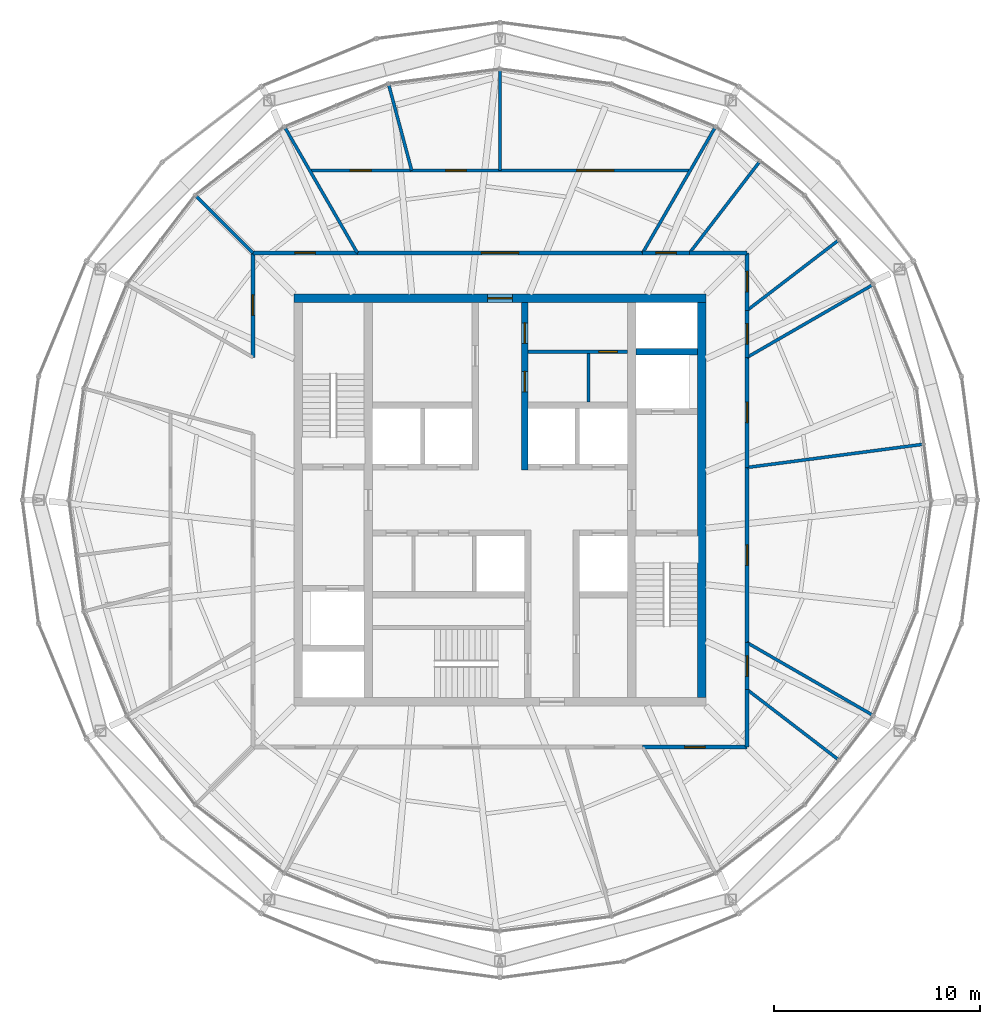
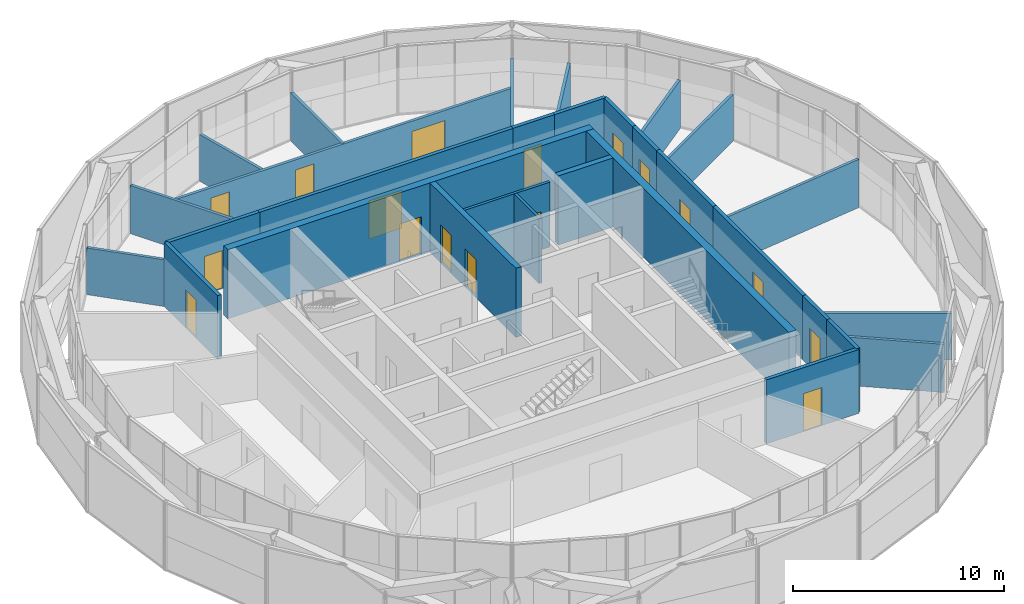
# One storey, part 15 of 17: 30 walls, 17 doors, 17 openings.
"""IFC4 building model written with IfcOpenShell, lengths in metres."""

from ifc_helpers import new_model, si_unit, direction, frame, frame_2d, origin, place, context, subcontext, project, spatial, rectangle, extrude, material, layer, layer_set, type_object, element, fill, save


model = new_model("IFC4")

# Units and contexts
model_context = context("Model", 3, precision=1e-05, world=origin(), true_north=direction((0.0, 1.0)))
body_context = subcontext(model_context, "Body", "Model", "MODEL_VIEW")
ifc_project = project(units=[si_unit("LENGTHUNIT", "METRE"), si_unit("AREAUNIT", "SQUARE_METRE"), si_unit("VOLUMEUNIT", "CUBIC_METRE"), si_unit("PLANEANGLEUNIT", "RADIAN"), si_unit("MASSUNIT", "GRAM", prefix="KILO")], contexts=[model_context])

# Site, building, storey
site_placement = place(None, origin())
site = spatial("IfcSite", under=ifc_project, at=site_placement, CompositionType="ELEMENT")
building_placement = place(site_placement, origin())
building = spatial("IfcBuilding", under=site, at=building_placement, Name="Golbaran Civic Tower", CompositionType="ELEMENT")
storey_placement = place(building_placement, frame((0.0, 0.0, 280.0)))
storey = spatial("IfcBuildingStorey", under=building, at=storey_placement, Name="L68", CompositionType="ELEMENT", Elevation=280.0)

# Wall, opening, door
ifc_material_1 = material(Name="Concrete block", Category="concrete")
ifc_layer_1 = layer(ifc_material_1, 0.14990234375, Name="Concrete block")
ifc_layer_set_1 = layer_set([ifc_layer_1], Name="Concrete block")
wall_type_1 = type_object("IfcWallType", Name="BLOCKWORK PARTITION 150", PredefinedType="PARTITIONING", material=ifc_layer_set_1)
wall_1_placement = place(storey_placement, frame((1.35009765625, 7.199951171875, 0.0), z_axis=(0.0, 0.0, 1.0), x_axis=(1.0, 0.0, 0.0)))
wall_1 = element("IfcWall", 1, at=wall_1_placement, inside=storey, type_object=wall_type_1, Name="Toilet block partition TN1 L68", PredefinedType="PARTITIONING", context=body_context, shape_type="SweptSolid", body=[
    extrude(rectangle(XDim=4.849853515625, YDim=0.14990234375, at=frame_2d((2.4248046875, 0.0))), origin(), (0.0, 0.0, 1.0), 3.75),
])
opening_1_placement = place(wall_1_placement, frame((3.449951171875, 0.0, 0.0)))
opening_1 = element("IfcOpeningElement", 2, at=opening_1_placement, cuts=wall_1, Name="Opening L68.CLN", PredefinedType="OPENING", context=body_context, shape_type="SweptSolid", body=[
    extrude(rectangle(XDim=0.89990234375, YDim=2.199951171875, at=frame_2d((0.449951171875, 1.10009765625))), frame((0.0, 0.0849609375, 0.0), z_axis=(0.0, -1.0, 0.0), x_axis=(1.0, 0.0, 0.0)), (0.0, 0.0, 1.0), 0.169921875),
])
ifc_material_2 = material(Name="Timber door set in steel frame", Category="steel")
door_type_1 = type_object("IfcDoorType", Name="RISER DOOR 900x2200", OperationType="SINGLE_SWING_LEFT", PredefinedType="DOOR", material=ifc_material_2)
door_1_placement = place(opening_1_placement, origin())
door_1 = element("IfcDoor", 3, at=door_1_placement, inside=storey, type_object=door_type_1, Name="Housekeeping Store door", OperationType="SINGLE_SWING_RIGHT", OverallHeight=2.199951171875, OverallWidth=0.89990234375, PredefinedType="DOOR", context=body_context, shape_type="SweptSolid", body=[
    extrude(rectangle(XDim=0.89990234375, YDim=2.199951171875, at=frame_2d((0.449951171875, 1.10009765625))), frame((0.0, 0.02490234375, 0.0), z_axis=(0.0, -1.0, 0.0), x_axis=(1.0, 0.0, 0.0)), (0.0, 0.0, 1.0), 0.050048828125),
])
fill(opening_1, door_1)

# Wall
wall_2_placement = place(storey_placement, frame((4.300048828125, 4.75, 0.0), z_axis=(0.0, 0.0, 1.0), x_axis=(0.0, 1.0, 0.0)))
element("IfcWall", 4, at=wall_2_placement, inside=storey, type_object=wall_type_1, Name="Toilet block partition TN2 L68", PredefinedType="PARTITIONING", context=body_context, shape_type="SweptSolid", body=[
    extrude(rectangle(XDim=2.375, YDim=0.14990234375, at=frame_2d((1.1875, 0.0))), origin(), (0.0, 0.0, 1.0), 3.75),
])

# Wall, opening, door
ifc_material_3 = material(Name="Concrete C50/60", Category="concrete")
ifc_layer_2 = layer(ifc_material_3, 0.39990234375, Name="Concrete C50/60")
ifc_layer_set_2 = layer_set([ifc_layer_2], Name="Concrete C50/60")
wall_type_2 = type_object("IfcWallType", Name="CORE WALL CONCRETE 400", PredefinedType="SOLIDWALL", material=ifc_layer_set_2)
wall_3_placement = place(storey_placement, frame((-10.0, 9.800048828125, 0.0), z_axis=(0.0, 0.0, 1.0), x_axis=(1.0, 0.0, 0.0)))
wall_3 = element("IfcWall", 5, at=wall_3_placement, inside=storey, type_object=wall_type_2, Name="Core wall CN L68", PredefinedType="SOLIDWALL", context=body_context, shape_type="SweptSolid", body=[
    extrude(rectangle(XDim=20.0, YDim=0.39990234375, at=frame_2d((10.0, 0.0))), origin(), (0.0, 0.0, 1.0), 4.0),
])
opening_2_placement = place(wall_3_placement, frame((9.39990234375, 0.0, 0.0)))
opening_2 = element("IfcOpeningElement", 6, at=opening_2_placement, cuts=wall_3, Name="Opening L68.CN", PredefinedType="OPENING", context=body_context, shape_type="SweptSolid", body=[
    extrude(rectangle(XDim=1.199951171875, YDim=2.199951171875, at=frame_2d((0.60009765625, 1.10009765625))), frame((0.0, 0.2099609375, 0.0), z_axis=(0.0, -1.0, 0.0), x_axis=(1.0, 0.0, 0.0)), (0.0, 0.0, 1.0), 0.419921875),
])
door_type_2 = type_object("IfcDoorType", Name="CORE DOOR 1200x2200", OperationType="DOUBLE_DOOR_SINGLE_SWING", PredefinedType="DOOR", material=ifc_material_2)
door_2_placement = place(opening_2_placement, origin())
door_2 = element("IfcDoor", 7, at=door_2_placement, inside=storey, type_object=door_type_2, Name="Core door north", OperationType="DOUBLE_DOOR_SINGLE_SWING", OverallHeight=2.199951171875, OverallWidth=1.199951171875, PredefinedType="DOOR", context=body_context, shape_type="SweptSolid", body=[
    extrude(rectangle(XDim=1.199951171875, YDim=2.199951171875, at=frame_2d((0.60009765625, 1.10009765625))), frame((0.0, 0.02490234375, 0.0), z_axis=(0.0, -1.0, 0.0), x_axis=(1.0, 0.0, 0.0)), (0.0, 0.0, 1.0), 0.050048828125),
])
fill(opening_2, door_2)

# Wall
wall_4_placement = place(storey_placement, frame((9.800048828125, -9.60009765625, 0.0), z_axis=(0.0, 0.0, 1.0), x_axis=(0.0, 1.0, 0.0)))
element("IfcWall", 8, at=wall_4_placement, inside=storey, type_object=wall_type_2, Name="Core wall CE L68", PredefinedType="SOLIDWALL", context=body_context, shape_type="SweptSolid", body=[
    extrude(rectangle(XDim=19.2001953125, YDim=0.39990234375, at=frame_2d((9.60009765625, 0.0))), origin(), (0.0, 0.0, 1.0), 4.0),
])

# Wall, opening, door
ifc_material_4 = material(Name="Gypsum board on steel studs, fire-rated", Category="steel")
ifc_layer_3 = layer(ifc_material_4, 0.199951171875, Name="Gypsum board on steel studs, fire-rated")
ifc_layer_set_3 = layer_set([ifc_layer_3], Name="Gypsum board on steel studs, fire-rated")
wall_type_3 = type_object("IfcWallType", Name="CORRIDOR WALL 200", PredefinedType="PARTITIONING", material=ifc_layer_set_3)
wall_5_placement = place(storey_placement, frame((12.0, -6.92822265625, 0.0), z_axis=(0.0, 0.0, 1.0), x_axis=(0.0, 1.0, 0.0)))
wall_5 = element("IfcWall", 9, at=wall_5_placement, inside=storey, type_object=wall_type_3, Name="Corridor wall L68", PredefinedType="PARTITIONING", context=body_context, shape_type="SweptSolid", body=[
    extrude(rectangle(XDim=8.508056640625, YDim=0.199951171875, at=frame_2d((4.25390625, 0.0))), origin(), (0.0, 0.0, 1.0), 3.699951171875),
])
opening_3_placement = place(wall_5_placement, frame((3.75390625, 0.0, 0.0)))
opening_3 = element("IfcOpeningElement", 10, at=opening_3_placement, cuts=wall_5, Name="Opening L68.07", PredefinedType="OPENING", context=body_context, shape_type="SweptSolid", body=[
    extrude(rectangle(XDim=1.0, YDim=2.199951171875, at=frame_2d((0.5, 1.10009765625))), frame((0.0, 0.10986328125, 0.0), z_axis=(0.0, -1.0, 0.0), x_axis=(1.0, 0.0, 0.0)), (0.0, 0.0, 1.0), 0.219970703125),
])
door_type_3 = type_object("IfcDoorType", Name="OFFICE DOOR 1000x2200", OperationType="SINGLE_SWING_LEFT", PredefinedType="DOOR", material=ifc_material_2)
door_3_placement = place(opening_3_placement, origin())
door_3 = element("IfcDoor", 11, at=door_3_placement, inside=storey, type_object=door_type_3, Name="State Room door L68", OperationType="SINGLE_SWING_LEFT", OverallHeight=2.199951171875, OverallWidth=1.0, PredefinedType="DOOR", context=body_context, shape_type="SweptSolid", body=[
    extrude(rectangle(XDim=1.0, YDim=2.199951171875, at=frame_2d((0.5, 1.10009765625))), frame((0.0, 0.02490234375, 0.0), z_axis=(0.0, -1.0, 0.0), x_axis=(1.0, 0.0, 0.0)), (0.0, 0.0, 1.0), 0.050048828125),
])
fill(opening_3, door_3)

wall_6_placement = place(storey_placement, frame((12.0, 1.579833984375, 0.0), z_axis=(0.0, 0.0, 1.0), x_axis=(0.0, 1.0, 0.0)))
wall_6 = element("IfcWall", 12, at=wall_6_placement, inside=storey, type_object=wall_type_3, Name="Corridor wall L68", PredefinedType="PARTITIONING", context=body_context, shape_type="SweptSolid", body=[
    extrude(rectangle(XDim=5.348388671875, YDim=0.199951171875, at=frame_2d((2.67431640625, 0.0))), origin(), (0.0, 0.0, 1.0), 3.699951171875),
])
opening_4_placement = place(wall_6_placement, frame((2.174072265625, 0.0, 0.0)))
opening_4 = element("IfcOpeningElement", 13, at=opening_4_placement, cuts=wall_6, Name="Opening L68.08", PredefinedType="OPENING", context=body_context, shape_type="SweptSolid", body=[
    extrude(rectangle(XDim=1.0, YDim=2.199951171875, at=frame_2d((0.5, 1.10009765625))), frame((0.0, 0.10986328125, 0.0), z_axis=(0.0, -1.0, 0.0), x_axis=(1.0, 0.0, 0.0)), (0.0, 0.0, 1.0), 0.219970703125),
])
door_4_placement = place(opening_4_placement, origin())
door_4 = element("IfcDoor", 14, at=door_4_placement, inside=storey, type_object=door_type_3, Name="Meeting Room door L68", OperationType="SINGLE_SWING_LEFT", OverallHeight=2.199951171875, OverallWidth=1.0, PredefinedType="DOOR", context=body_context, shape_type="SweptSolid", body=[
    extrude(rectangle(XDim=1.0, YDim=2.199951171875, at=frame_2d((0.5, 1.10009765625))), frame((0.0, 0.02490234375, 0.0), z_axis=(0.0, -1.0, 0.0), x_axis=(1.0, 0.0, 0.0)), (0.0, 0.0, 1.0), 0.050048828125),
])
fill(opening_4, door_4)

wall_7_placement = place(storey_placement, frame((12.0, 6.92822265625, 0.0), z_axis=(0.0, 0.0, 1.0), x_axis=(0.0, 1.0, 0.0)))
wall_7 = element("IfcWall", 15, at=wall_7_placement, inside=storey, type_object=wall_type_3, Name="Corridor wall L68", PredefinedType="PARTITIONING", context=body_context, shape_type="SweptSolid", body=[
    extrude(rectangle(XDim=2.27978515625, YDim=0.199951171875, at=frame_2d((1.139892578125, 0.0))), origin(), (0.0, 0.0, 1.0), 3.699951171875),
])
opening_5_placement = place(wall_7_placement, frame((0.639892578125, 0.0, 0.0)))
opening_5 = element("IfcOpeningElement", 16, at=opening_5_placement, cuts=wall_7, Name="Opening L68.09", PredefinedType="OPENING", context=body_context, shape_type="SweptSolid", body=[
    extrude(rectangle(XDim=1.0, YDim=2.199951171875, at=frame_2d((0.5, 1.10009765625))), frame((0.0, 0.10986328125, 0.0), z_axis=(0.0, -1.0, 0.0), x_axis=(1.0, 0.0, 0.0)), (0.0, 0.0, 1.0), 0.219970703125),
])
door_5_placement = place(opening_5_placement, origin())
door_5 = element("IfcDoor", 17, at=door_5_placement, inside=storey, type_object=door_type_3, Name="Pantry door L68", OperationType="SINGLE_SWING_LEFT", OverallHeight=2.199951171875, OverallWidth=1.0, PredefinedType="DOOR", context=body_context, shape_type="SweptSolid", body=[
    extrude(rectangle(XDim=1.0, YDim=2.199951171875, at=frame_2d((0.5, 1.10009765625))), frame((0.0, 0.02490234375, 0.0), z_axis=(0.0, -1.0, 0.0), x_axis=(1.0, 0.0, 0.0)), (0.0, 0.0, 1.0), 0.050048828125),
])
fill(opening_5, door_5)

wall_8_placement = place(storey_placement, frame((12.0, 9.2080078125, 0.0), z_axis=(0.0, 0.0, 1.0), x_axis=(0.0, 1.0, 0.0)))
wall_8 = element("IfcWall", 18, at=wall_8_placement, inside=storey, type_object=wall_type_3, Name="Corridor wall L68", PredefinedType="PARTITIONING", context=body_context, shape_type="SweptSolid", body=[
    extrude(rectangle(XDim=2.7919921875, YDim=0.199951171875, at=frame_2d((1.39599609375, 0.0))), origin(), (0.0, 0.0, 1.0), 3.699951171875),
])
opening_6_placement = place(wall_8_placement, frame((0.89599609375, 0.0, 0.0)))
opening_6 = element("IfcOpeningElement", 19, at=opening_6_placement, cuts=wall_8, Name="Opening L68.10", PredefinedType="OPENING", context=body_context, shape_type="SweptSolid", body=[
    extrude(rectangle(XDim=1.0, YDim=2.199951171875, at=frame_2d((0.5, 1.10009765625))), frame((0.0, 0.10986328125, 0.0), z_axis=(0.0, -1.0, 0.0), x_axis=(1.0, 0.0, 0.0)), (0.0, 0.0, 1.0), 0.219970703125),
])
door_6_placement = place(opening_6_placement, origin())
door_6 = element("IfcDoor", 20, at=door_6_placement, inside=storey, type_object=door_type_3, Name="Prayer Room door L68", OperationType="SINGLE_SWING_LEFT", OverallHeight=2.199951171875, OverallWidth=1.0, PredefinedType="DOOR", context=body_context, shape_type="SweptSolid", body=[
    extrude(rectangle(XDim=1.0, YDim=2.199951171875, at=frame_2d((0.5, 1.10009765625))), frame((0.0, 0.02490234375, 0.0), z_axis=(0.0, -1.0, 0.0), x_axis=(1.0, 0.0, 0.0)), (0.0, 0.0, 1.0), 0.050048828125),
])
fill(opening_6, door_6)

# Wall
wall_9_placement = place(storey_placement, frame((12.0, 12.0, 0.0), z_axis=(0.0, 0.0, 1.0), x_axis=(-1.0, 0.0, 0.0)))
element("IfcWall", 21, at=wall_9_placement, inside=storey, type_object=wall_type_3, Name="Corridor wall L68", PredefinedType="PARTITIONING", context=body_context, shape_type="SweptSolid", body=[
    extrude(rectangle(XDim=2.7919921875, YDim=0.199951171875, at=frame_2d((1.39599609375, 0.0))), origin(), (0.0, 0.0, 1.0), 3.699951171875),
])

# Wall, opening, door
wall_10_placement = place(storey_placement, frame((9.2080078125, 12.0, 0.0), z_axis=(0.0, 0.0, 1.0), x_axis=(-1.0, 0.0, 0.0)))
wall_10 = element("IfcWall", 22, at=wall_10_placement, inside=storey, type_object=wall_type_3, Name="Corridor wall L68", PredefinedType="PARTITIONING", context=body_context, shape_type="SweptSolid", body=[
    extrude(rectangle(XDim=2.27978515625, YDim=0.199951171875, at=frame_2d((1.139892578125, 0.0))), origin(), (0.0, 0.0, 1.0), 3.699951171875),
])
opening_7_placement = place(wall_10_placement, frame((0.639892578125, 0.0, 0.0)))
opening_7 = element("IfcOpeningElement", 23, at=opening_7_placement, cuts=wall_10, Name="Opening L68.11", PredefinedType="OPENING", context=body_context, shape_type="SweptSolid", body=[
    extrude(rectangle(XDim=1.0, YDim=2.199951171875, at=frame_2d((0.5, 1.10009765625))), frame((0.0, 0.10986328125, 0.0), z_axis=(0.0, -1.0, 0.0), x_axis=(1.0, 0.0, 0.0)), (0.0, 0.0, 1.0), 0.219970703125),
])
door_7_placement = place(opening_7_placement, origin())
door_7 = element("IfcDoor", 24, at=door_7_placement, inside=storey, type_object=door_type_3, Name="Store door L68", OperationType="SINGLE_SWING_RIGHT", OverallHeight=2.199951171875, OverallWidth=1.0, PredefinedType="DOOR", context=body_context, shape_type="SweptSolid", body=[
    extrude(rectangle(XDim=1.0, YDim=2.199951171875, at=frame_2d((0.5, 1.10009765625))), frame((0.0, 0.02490234375, 0.0), z_axis=(0.0, -1.0, 0.0), x_axis=(1.0, 0.0, 0.0)), (0.0, 0.0, 1.0), 0.050048828125),
])
fill(opening_7, door_7)

wall_11_placement = place(storey_placement, frame((6.92822265625, 12.0, 0.0), z_axis=(0.0, 0.0, 1.0), x_axis=(-1.0, 0.0, 0.0)))
wall_11 = element("IfcWall", 25, at=wall_11_placement, inside=storey, type_object=wall_type_3, Name="Corridor wall L68", PredefinedType="PARTITIONING", context=body_context, shape_type="SweptSolid", body=[
    extrude(rectangle(XDim=13.8564453125, YDim=0.199951171875, at=frame_2d((6.92822265625, 0.0))), origin(), (0.0, 0.0, 1.0), 3.699951171875),
])
opening_8_placement = place(wall_11_placement, frame((6.0283203125, 0.0, 0.0)))
opening_8 = element("IfcOpeningElement", 26, at=opening_8_placement, cuts=wall_11, Name="Opening L68.12", PredefinedType="OPENING", context=body_context, shape_type="SweptSolid", body=[
    extrude(rectangle(XDim=1.800048828125, YDim=2.199951171875, at=frame_2d((0.89990234375, 1.10009765625))), frame((0.0, 0.10986328125, 0.0), z_axis=(0.0, -1.0, 0.0), x_axis=(1.0, 0.0, 0.0)), (0.0, 0.0, 1.0), 0.219970703125),
])
door_type_4 = type_object("IfcDoorType", Name="OFFICE DOUBLE DOOR 1800x2200", OperationType="DOUBLE_DOOR_SINGLE_SWING", PredefinedType="DOOR", material=ifc_material_2)
door_8_placement = place(opening_8_placement, origin())
door_8 = element("IfcDoor", 27, at=door_8_placement, inside=storey, type_object=door_type_4, Name="Secretariat door L68", OperationType="DOUBLE_DOOR_SINGLE_SWING", OverallHeight=2.199951171875, OverallWidth=1.800048828125, PredefinedType="DOOR", context=body_context, shape_type="SweptSolid", body=[
    extrude(rectangle(XDim=1.800048828125, YDim=2.199951171875, at=frame_2d((0.89990234375, 1.10009765625))), frame((0.0, 0.02490234375, 0.0), z_axis=(0.0, -1.0, 0.0), x_axis=(1.0, 0.0, 0.0)), (0.0, 0.0, 1.0), 0.050048828125),
])
fill(opening_8, door_8)

wall_12_placement = place(storey_placement, frame((-6.92822265625, 12.0, 0.0), z_axis=(0.0, 0.0, 1.0), x_axis=(-1.0, 0.0, 0.0)))
wall_12 = element("IfcWall", 28, at=wall_12_placement, inside=storey, type_object=wall_type_3, Name="Corridor wall L68", PredefinedType="PARTITIONING", context=body_context, shape_type="SweptSolid", body=[
    extrude(rectangle(XDim=5.07177734375, YDim=0.199951171875, at=frame_2d((2.535888671875, 0.0))), origin(), (0.0, 0.0, 1.0), 3.699951171875),
])
opening_9_placement = place(wall_12_placement, frame((2.035888671875, 0.0, 0.0)))
opening_9 = element("IfcOpeningElement", 29, at=opening_9_placement, cuts=wall_12, Name="Opening L68.13", PredefinedType="OPENING", context=body_context, shape_type="SweptSolid", body=[
    extrude(rectangle(XDim=1.0, YDim=2.199951171875, at=frame_2d((0.5, 1.10009765625))), frame((0.0, 0.10986328125, 0.0), z_axis=(0.0, -1.0, 0.0), x_axis=(1.0, 0.0, 0.0)), (0.0, 0.0, 1.0), 0.219970703125),
])
door_9_placement = place(opening_9_placement, origin())
door_9 = element("IfcDoor", 30, at=door_9_placement, inside=storey, type_object=door_type_3, Name="File Room door L68", OperationType="SINGLE_SWING_RIGHT", OverallHeight=2.199951171875, OverallWidth=1.0, PredefinedType="DOOR", context=body_context, shape_type="SweptSolid", body=[
    extrude(rectangle(XDim=1.0, YDim=2.199951171875, at=frame_2d((0.5, 1.10009765625))), frame((0.0, 0.02490234375, 0.0), z_axis=(0.0, -1.0, 0.0), x_axis=(1.0, 0.0, 0.0)), (0.0, 0.0, 1.0), 0.050048828125),
])
fill(opening_9, door_9)

wall_13_placement = place(storey_placement, frame((-12.0, 12.0, 0.0), z_axis=(0.0, 0.0, 1.0), x_axis=(0.0, -1.0, 0.0)))
wall_13 = element("IfcWall", 31, at=wall_13_placement, inside=storey, type_object=wall_type_3, Name="Corridor wall L68", PredefinedType="PARTITIONING", context=body_context, shape_type="SweptSolid", body=[
    extrude(rectangle(XDim=5.07177734375, YDim=0.199951171875, at=frame_2d((2.535888671875, 0.0))), origin(), (0.0, 0.0, 1.0), 3.699951171875),
])
opening_10_placement = place(wall_13_placement, frame((2.035888671875, 0.0, 0.0)))
opening_10 = element("IfcOpeningElement", 32, at=opening_10_placement, cuts=wall_13, Name="Opening L68.14", PredefinedType="OPENING", context=body_context, shape_type="SweptSolid", body=[
    extrude(rectangle(XDim=1.0, YDim=2.199951171875, at=frame_2d((0.5, 1.10009765625))), frame((0.0, 0.10986328125, 0.0), z_axis=(0.0, -1.0, 0.0), x_axis=(1.0, 0.0, 0.0)), (0.0, 0.0, 1.0), 0.219970703125),
])
door_10_placement = place(opening_10_placement, origin())
door_10 = element("IfcDoor", 33, at=door_10_placement, inside=storey, type_object=door_type_3, Name="Meeting Room door L68", OperationType="SINGLE_SWING_RIGHT", OverallHeight=2.199951171875, OverallWidth=1.0, PredefinedType="DOOR", context=body_context, shape_type="SweptSolid", body=[
    extrude(rectangle(XDim=1.0, YDim=2.199951171875, at=frame_2d((0.5, 1.10009765625))), frame((0.0, 0.02490234375, 0.0), z_axis=(0.0, -1.0, 0.0), x_axis=(1.0, 0.0, 0.0)), (0.0, 0.0, 1.0), 0.050048828125),
])
fill(opening_10, door_10)

wall_14_placement = place(storey_placement, frame((6.92822265625, -12.0, 0.0), z_axis=(0.0, 0.0, 1.0), x_axis=(1.0, 0.0, 0.0)))
wall_14 = element("IfcWall", 34, at=wall_14_placement, inside=storey, type_object=wall_type_3, Name="Corridor wall L68", PredefinedType="PARTITIONING", context=body_context, shape_type="SweptSolid", body=[
    extrude(rectangle(XDim=5.07177734375, YDim=0.199951171875, at=frame_2d((2.535888671875, 0.0))), origin(), (0.0, 0.0, 1.0), 3.699951171875),
])
opening_11_placement = place(wall_14_placement, frame((2.035888671875, 0.0, 0.0)))
opening_11 = element("IfcOpeningElement", 35, at=opening_11_placement, cuts=wall_14, Name="Opening L68.20", PredefinedType="OPENING", context=body_context, shape_type="SweptSolid", body=[
    extrude(rectangle(XDim=1.0, YDim=2.199951171875, at=frame_2d((0.5, 1.10009765625))), frame((0.0, 0.10986328125, 0.0), z_axis=(0.0, -1.0, 0.0), x_axis=(1.0, 0.0, 0.0)), (0.0, 0.0, 1.0), 0.219970703125),
])
door_11_placement = place(opening_11_placement, origin())
door_11 = element("IfcDoor", 36, at=door_11_placement, inside=storey, type_object=door_type_3, Name="File Room door L68", OperationType="SINGLE_SWING_LEFT", OverallHeight=2.199951171875, OverallWidth=1.0, PredefinedType="DOOR", context=body_context, shape_type="SweptSolid", body=[
    extrude(rectangle(XDim=1.0, YDim=2.199951171875, at=frame_2d((0.5, 1.10009765625))), frame((0.0, 0.02490234375, 0.0), z_axis=(0.0, -1.0, 0.0), x_axis=(1.0, 0.0, 0.0)), (0.0, 0.0, 1.0), 0.050048828125),
])
fill(opening_11, door_11)

# Wall
wall_15_placement = place(storey_placement, frame((12.0, -12.0, 0.0), z_axis=(0.0, 0.0, 1.0), x_axis=(0.0, 1.0, 0.0)))
element("IfcWall", 37, at=wall_15_placement, inside=storey, type_object=wall_type_3, Name="Corridor wall L68", PredefinedType="PARTITIONING", context=body_context, shape_type="SweptSolid", body=[
    extrude(rectangle(XDim=2.7919921875, YDim=0.199951171875, at=frame_2d((1.39599609375, 0.0))), origin(), (0.0, 0.0, 1.0), 3.699951171875),
])

# Wall, opening, door
wall_16_placement = place(storey_placement, frame((12.0, -9.2080078125, 0.0), z_axis=(0.0, 0.0, 1.0), x_axis=(0.0, 1.0, 0.0)))
wall_16 = element("IfcWall", 38, at=wall_16_placement, inside=storey, type_object=wall_type_3, Name="Corridor wall L68", PredefinedType="PARTITIONING", context=body_context, shape_type="SweptSolid", body=[
    extrude(rectangle(XDim=2.27978515625, YDim=0.199951171875, at=frame_2d((1.139892578125, 0.0))), origin(), (0.0, 0.0, 1.0), 3.699951171875),
])
opening_12_placement = place(wall_16_placement, frame((0.639892578125, 0.0, 0.0)))
opening_12 = element("IfcOpeningElement", 39, at=opening_12_placement, cuts=wall_16, Name="Opening L68.21", PredefinedType="OPENING", context=body_context, shape_type="SweptSolid", body=[
    extrude(rectangle(XDim=1.0, YDim=2.199951171875, at=frame_2d((0.5, 1.10009765625))), frame((0.0, 0.10986328125, 0.0), z_axis=(0.0, -1.0, 0.0), x_axis=(1.0, 0.0, 0.0)), (0.0, 0.0, 1.0), 0.219970703125),
])
door_12_placement = place(opening_12_placement, origin())
door_12 = element("IfcDoor", 40, at=door_12_placement, inside=storey, type_object=door_type_3, Name="Store door L68", OperationType="SINGLE_SWING_LEFT", OverallHeight=2.199951171875, OverallWidth=1.0, PredefinedType="DOOR", context=body_context, shape_type="SweptSolid", body=[
    extrude(rectangle(XDim=1.0, YDim=2.199951171875, at=frame_2d((0.5, 1.10009765625))), frame((0.0, 0.02490234375, 0.0), z_axis=(0.0, -1.0, 0.0), x_axis=(1.0, 0.0, 0.0)), (0.0, 0.0, 1.0), 0.050048828125),
])
fill(opening_12, door_12)

# Walls
ifc_material_5 = material(Name="Gypsum board on steel studs", Category="steel")
ifc_layer_4 = layer(ifc_material_5, 0.14990234375, Name="Gypsum board on steel studs")
ifc_layer_set_4 = layer_set([ifc_layer_4], Name="Gypsum board on steel studs")
wall_type_4 = type_object("IfcWallType", Name="OFFICE PARTITION 150", PredefinedType="PARTITIONING", material=ifc_layer_set_4)
wall_17_placement = place(storey_placement, frame((12.0, -6.92822265625, 0.0), z_axis=(0.0, 0.0, 1.0), x_axis=(0.866031452229, -0.49998952364, 0.0)))
element("IfcWall", 41, at=wall_17_placement, inside=storey, type_object=wall_type_4, Name="Partition 330 L68", PredefinedType="PARTITIONING", context=body_context, shape_type="SweptSolid", body=[
    extrude(rectangle(XDim=6.989990234375, YDim=0.14990234375, at=frame_2d((3.4951171875, 0.0))), origin(), (0.0, 0.0, 1.0), 2.699951171875),
])
wall_18_placement = place(storey_placement, frame((12.0, 1.579833984375, 0.0), z_axis=(0.0, 0.0, 1.0), x_axis=(0.991443910355, 0.130533415725, 0.0)))
element("IfcWall", 42, at=wall_18_placement, inside=storey, type_object=wall_type_4, Name="Partition 7.5 L68", PredefinedType="PARTITIONING", context=body_context, shape_type="SweptSolid", body=[
    extrude(rectangle(XDim=8.564208984375, YDim=0.14990234375, at=frame_2d((4.2822265625, 0.0))), origin(), (0.0, 0.0, 1.0), 2.7900390625),
])
wall_19_placement = place(storey_placement, frame((12.0, 6.92822265625, 0.0), z_axis=(0.0, 0.0, 1.0), x_axis=(0.866031452229, 0.49998952364, 0.0)))
element("IfcWall", 43, at=wall_19_placement, inside=storey, type_object=wall_type_4, Name="Partition 30 L68", PredefinedType="PARTITIONING", context=body_context, shape_type="SweptSolid", body=[
    extrude(rectangle(XDim=6.989990234375, YDim=0.14990234375, at=frame_2d((3.4951171875, 0.0))), origin(), (0.0, 0.0, 1.0), 2.699951171875),
])
for number, where, z_axis, x_axis, name in (
    (44, (12.0, 9.2080078125, 0.0), (0.0, 0.0, 1.0), (0.793365234103, 0.608745928377, 0.0), "Partition 37.5 L68"),
    (45, (9.2080078125, 12.0, 0.0), (0.0, 0.0, 1.0), (0.608745928377, 0.793365234103, 0.0), "Partition 52.5 L68"),
):
    element("IfcWall", number, at=place(storey_placement, frame(where, z_axis=z_axis, x_axis=x_axis)), inside=storey, type_object=wall_type_4, Name=name, PredefinedType="PARTITIONING", context=body_context, shape_type="SweptSolid", body=[
        extrude(rectangle(XDim=5.542236328125, YDim=0.14990234375, at=frame_2d((2.77099609375, 0.0))), origin(), (0.0, 0.0, 1.0), 2.7900390625),
    ])
for number, where, z_axis, x_axis, name in (
    (46, (6.92822265625, 12.0, 0.0), (0.0, 0.0, 1.0), (0.49998952364, 0.866031452229, 0.0), "Partition 60 L68"),
    (47, (-6.92822265625, 12.0, 0.0), (0.0, 0.0, 1.0), (-0.49998952364, 0.866031452229, 0.0), "Partition 120 L68"),
):
    element("IfcWall", number, at=place(storey_placement, frame(where, z_axis=z_axis, x_axis=x_axis)), inside=storey, type_object=wall_type_4, Name=name, PredefinedType="PARTITIONING", context=body_context, shape_type="SweptSolid", body=[
        extrude(rectangle(XDim=6.989990234375, YDim=0.14990234375, at=frame_2d((3.4951171875, 0.0))), origin(), (0.0, 0.0, 1.0), 2.7900390625),
    ])
wall_20_placement = place(storey_placement, frame((-12.0, 12.0, 0.0), z_axis=(0.0, 0.0, 1.0), x_axis=(-0.707106781187, 0.707106781187, 0.0)))
element("IfcWall", 48, at=wall_20_placement, inside=storey, type_object=wall_type_4, Name="Partition 135 L68", PredefinedType="PARTITIONING", context=body_context, shape_type="SweptSolid", body=[
    extrude(rectangle(XDim=3.875732421875, YDim=0.14990234375, at=frame_2d((1.93798828125, 0.0))), origin(), (0.0, 0.0, 1.0), 2.699951171875),
])
wall_21_placement = place(storey_placement, frame((12.0, -9.2080078125, 0.0), z_axis=(0.0, 0.0, 1.0), x_axis=(0.793365234103, -0.608745928377, 0.0)))
element("IfcWall", 49, at=wall_21_placement, inside=storey, type_object=wall_type_4, Name="Partition 322.5 L68", PredefinedType="PARTITIONING", context=body_context, shape_type="SweptSolid", body=[
    extrude(rectangle(XDim=5.542236328125, YDim=0.14990234375, at=frame_2d((2.77099609375, 0.0))), origin(), (0.0, 0.0, 1.0), 2.7900390625),
])

# Wall, openings, doors
wall_22_placement = place(storey_placement, frame((9.237548828125, 16.0, 0.0), z_axis=(0.0, 0.0, 1.0), x_axis=(-1.0, 0.0, 0.0)))
wall_22 = element("IfcWall", 50, at=wall_22_placement, inside=storey, type_object=wall_type_4, Name="Suite partition L68", PredefinedType="PARTITIONING", context=body_context, shape_type="SweptSolid", body=[
    extrude(rectangle(XDim=18.47509765625, YDim=0.14990234375, at=frame_2d((9.237548828125, 0.0))), origin(), (0.0, 0.0, 1.0), 2.7900390625),
])
opening_13_placement = place(wall_22_placement, frame((3.71875, 0.0, 0.0)))
opening_13 = element("IfcOpeningElement", 51, at=opening_13_placement, cuts=wall_22, Name="Opening L68.01", PredefinedType="OPENING", context=body_context, shape_type="SweptSolid", body=[
    extrude(rectangle(XDim=1.800048828125, YDim=2.199951171875, at=frame_2d((0.89990234375, 1.10009765625))), frame((0.0, 0.0849609375, 0.0), z_axis=(0.0, -1.0, 0.0), x_axis=(1.0, 0.0, 0.0)), (0.0, 0.0, 1.0), 0.169921875),
])
opening_14_placement = place(wall_22_placement, frame((10.881103515625, 0.0, 0.0)))
opening_14 = element("IfcOpeningElement", 52, at=opening_14_placement, cuts=wall_22, Name="Opening L68.02", PredefinedType="OPENING", context=body_context, shape_type="SweptSolid", body=[
    extrude(rectangle(XDim=1.0, YDim=2.199951171875, at=frame_2d((0.5, 1.10009765625))), frame((0.0, 0.0849609375, 0.0), z_axis=(0.0, -1.0, 0.0), x_axis=(1.0, 0.0, 0.0)), (0.0, 0.0, 1.0), 0.169921875),
])
opening_15_placement = place(wall_22_placement, frame((15.5, 0.0, 0.0)))
opening_15 = element("IfcOpeningElement", 53, at=opening_15_placement, cuts=wall_22, Name="Opening L68.03", PredefinedType="OPENING", context=body_context, shape_type="SweptSolid", body=[
    extrude(rectangle(XDim=1.0, YDim=2.199951171875, at=frame_2d((0.5, 1.10009765625))), frame((0.0, 0.0849609375, 0.0), z_axis=(0.0, -1.0, 0.0), x_axis=(1.0, 0.0, 0.0)), (0.0, 0.0, 1.0), 0.169921875),
])
door_13_placement = place(opening_14_placement, origin())
door_13 = element("IfcDoor", 54, at=door_13_placement, inside=storey, type_object=door_type_3, Name="Private Meeting Room door L68", OperationType="SINGLE_SWING_RIGHT", OverallHeight=2.199951171875, OverallWidth=1.0, PredefinedType="DOOR", context=body_context, shape_type="SweptSolid", body=[
    extrude(rectangle(XDim=1.0, YDim=2.199951171875, at=frame_2d((0.5, 1.10009765625))), frame((0.0, 0.02490234375, 0.0), z_axis=(0.0, -1.0, 0.0), x_axis=(1.0, 0.0, 0.0)), (0.0, 0.0, 1.0), 0.050048828125),
])
fill(opening_14, door_13)
door_14_placement = place(opening_15_placement, origin())
door_14 = element("IfcDoor", 55, at=door_14_placement, inside=storey, type_object=door_type_3, Name="Assistants' Office door L68", OperationType="SINGLE_SWING_RIGHT", OverallHeight=2.199951171875, OverallWidth=1.0, PredefinedType="DOOR", context=body_context, shape_type="SweptSolid", body=[
    extrude(rectangle(XDim=1.0, YDim=2.199951171875, at=frame_2d((0.5, 1.10009765625))), frame((0.0, 0.02490234375, 0.0), z_axis=(0.0, -1.0, 0.0), x_axis=(1.0, 0.0, 0.0)), (0.0, 0.0, 1.0), 0.050048828125),
])
fill(opening_15, door_14)
door_15_placement = place(opening_13_placement, origin())
door_15 = element("IfcDoor", 56, at=door_15_placement, inside=storey, type_object=door_type_4, Name="Minister's Office door L68", OperationType="DOUBLE_DOOR_SINGLE_SWING", OverallHeight=2.199951171875, OverallWidth=1.800048828125, PredefinedType="DOOR", context=body_context, shape_type="SweptSolid", body=[
    extrude(rectangle(XDim=1.800048828125, YDim=2.199951171875, at=frame_2d((0.89990234375, 1.10009765625))), frame((0.0, 0.02490234375, 0.0), z_axis=(0.0, -1.0, 0.0), x_axis=(1.0, 0.0, 0.0)), (0.0, 0.0, 1.0), 0.050048828125),
])
fill(opening_13, door_15)

# Walls
wall_23_placement = place(storey_placement, frame((0.0, 16.0, 0.0), z_axis=(0.0, 0.0, 1.0), x_axis=(0.0, 1.0, 0.0)))
element("IfcWall", 57, at=wall_23_placement, inside=storey, type_object=wall_type_4, Name="Partition 90 L68", PredefinedType="PARTITIONING", context=body_context, shape_type="SweptSolid", body=[
    extrude(rectangle(XDim=4.84619140625, YDim=0.14990234375, at=frame_2d((2.423095703125, 0.0))), origin(), (0.0, 0.0, 1.0), 2.7900390625),
])
wall_24_placement = place(storey_placement, frame((-4.287109375, 16.0, 0.0), z_axis=(0.0, 0.0, 1.0), x_axis=(-0.258854832266, 0.965916236437, 0.0)))
element("IfcWall", 58, at=wall_24_placement, inside=storey, type_object=wall_type_4, Name="Partition 105 L68", PredefinedType="PARTITIONING", context=body_context, shape_type="SweptSolid", body=[
    extrude(rectangle(XDim=4.281982421875, YDim=0.14990234375, at=frame_2d((2.14111328125, 0.0))), origin(), (0.0, 0.0, 1.0), 2.699951171875),
])

# Wall, openings, doors
ifc_layer_5 = layer(ifc_material_3, 0.300048828125, Name="Concrete C50/60")
ifc_layer_set_5 = layer_set([ifc_layer_5], Name="Concrete C50/60")
wall_type_5 = type_object("IfcWallType", Name="SHAFT WALL CONCRETE 300", PredefinedType="SOLIDWALL", material=ifc_layer_set_5)
wall_25_placement = place(storey_placement, frame((1.199951171875, 1.449951171875, 0.0), z_axis=(0.0, 0.0, 1.0), x_axis=(0.0, 1.0, 0.0)))
wall_25 = element("IfcWall", 59, at=wall_25_placement, inside=storey, type_object=wall_type_5, Name="Core wall PNE L68", PredefinedType="SOLIDWALL", context=body_context, shape_type="SweptSolid", body=[
    extrude(rectangle(XDim=8.150146484375, YDim=0.300048828125, at=frame_2d((4.0751953125, 0.0))), origin(), (0.0, 0.0, 1.0), 4.0),
])
opening_16_placement = place(wall_25_placement, frame((3.800048828125, 0.0, 0.0)))
opening_16 = element("IfcOpeningElement", 60, at=opening_16_placement, cuts=wall_25, Name="Opening L68.WCA", PredefinedType="OPENING", context=body_context, shape_type="SweptSolid", body=[
    extrude(rectangle(XDim=1.0, YDim=2.199951171875, at=frame_2d((0.5, 1.10009765625))), frame((0.0, 0.159912109375, 0.0), z_axis=(0.0, -1.0, 0.0), x_axis=(1.0, 0.0, 0.0)), (0.0, 0.0, 1.0), 0.320068359375),
])
opening_17_placement = place(wall_25_placement, frame((6.14990234375, 0.0, 0.0)))
opening_17 = element("IfcOpeningElement", 61, at=opening_17_placement, cuts=wall_25, Name="Opening L68.WCF", PredefinedType="OPENING", context=body_context, shape_type="SweptSolid", body=[
    extrude(rectangle(XDim=1.0, YDim=2.199951171875, at=frame_2d((0.5, 1.10009765625))), frame((0.0, 0.159912109375, 0.0), z_axis=(0.0, -1.0, 0.0), x_axis=(1.0, 0.0, 0.0)), (0.0, 0.0, 1.0), 0.320068359375),
])
door_type_5 = type_object("IfcDoorType", Name="TOILET DOOR 1000x2200", OperationType="SINGLE_SWING_LEFT", PredefinedType="DOOR", material=ifc_material_2)
door_16_placement = place(opening_16_placement, origin())
door_16 = element("IfcDoor", 62, at=door_16_placement, inside=storey, type_object=door_type_5, Name="Accessible WC door", OperationType="SINGLE_SWING_RIGHT", OverallHeight=2.199951171875, OverallWidth=1.0, PredefinedType="DOOR", context=body_context, shape_type="SweptSolid", body=[
    extrude(rectangle(XDim=1.0, YDim=2.199951171875, at=frame_2d((0.5, 1.10009765625))), frame((0.0, 0.02490234375, 0.0), z_axis=(0.0, -1.0, 0.0), x_axis=(1.0, 0.0, 0.0)), (0.0, 0.0, 1.0), 0.050048828125),
])
fill(opening_16, door_16)
door_17_placement = place(opening_17_placement, origin())
door_17 = element("IfcDoor", 63, at=door_17_placement, inside=storey, type_object=door_type_5, Name="North-east toilet block door", OperationType="SINGLE_SWING_RIGHT", OverallHeight=2.199951171875, OverallWidth=1.0, PredefinedType="DOOR", context=body_context, shape_type="SweptSolid", body=[
    extrude(rectangle(XDim=1.0, YDim=2.199951171875, at=frame_2d((0.5, 1.10009765625))), frame((0.0, 0.02490234375, 0.0), z_axis=(0.0, -1.0, 0.0), x_axis=(1.0, 0.0, 0.0)), (0.0, 0.0, 1.0), 0.050048828125),
])
fill(opening_17, door_17)

# Wall
wall_26_placement = place(storey_placement, frame((6.60009765625, 7.199951171875, 0.0), z_axis=(0.0, 0.0, 1.0), x_axis=(1.0, 0.0, 0.0)))
element("IfcWall", 64, at=wall_26_placement, inside=storey, type_object=wall_type_5, Name="Core wall XE3 L68", PredefinedType="SOLIDWALL", context=body_context, shape_type="SweptSolid", body=[
    extrude(rectangle(XDim=3.0, YDim=0.300048828125, at=frame_2d((1.5, 0.0))), origin(), (0.0, 0.0, 1.0), 4.0),
])

save(model, "model.ifc")
